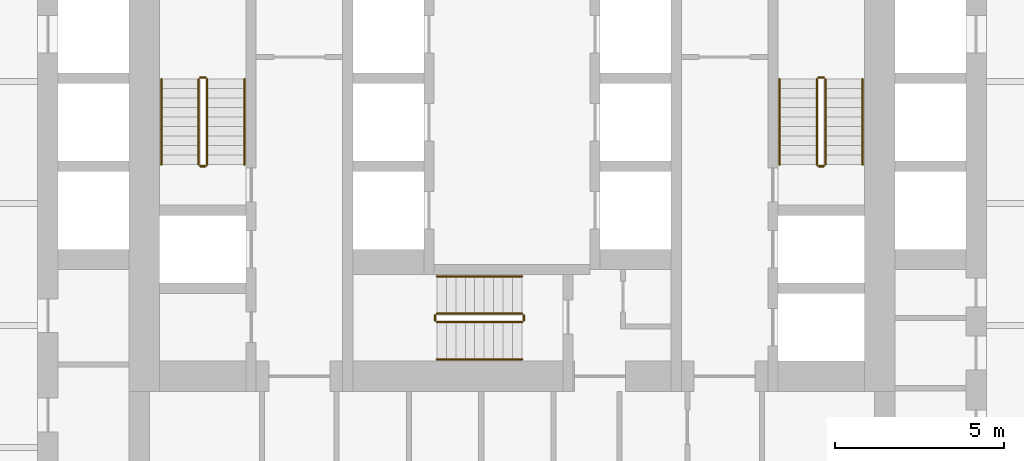
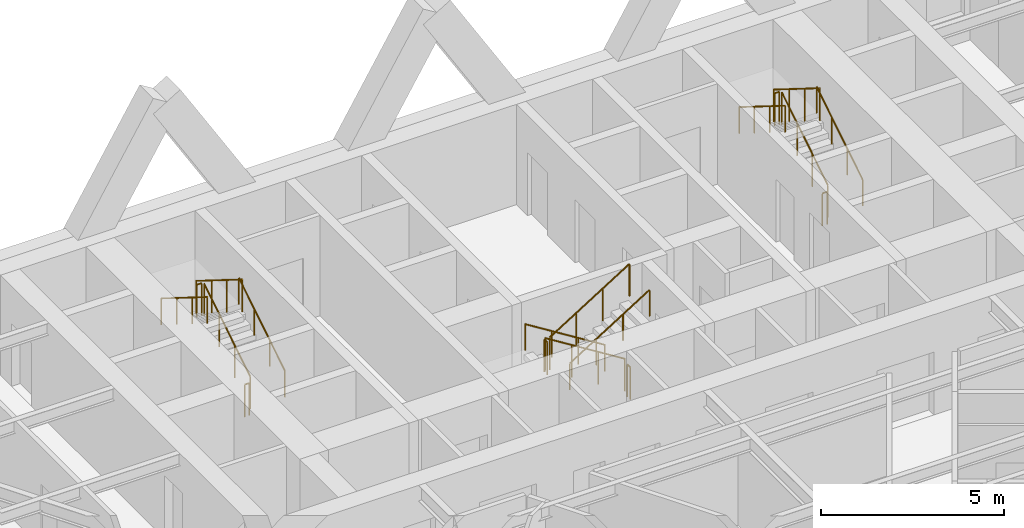
# One storey, part 9 of 9: 18 railings.
"""IFC4 building model written with IfcOpenShell, lengths in metres."""

from ifc_helpers import new_model, si_unit, direction, frame, origin, origin_2d, place, context, subcontext, project, spatial, circle, extrude, material, type_object, element, save


model = new_model("IFC4")

# Units and contexts
model_context = context("Model", 3, precision=1e-05, world=origin(), true_north=direction((0.0, 1.0)))
body_context = subcontext(model_context, "Body", "Model", "MODEL_VIEW")
ifc_project = project(units=[si_unit("LENGTHUNIT", "METRE"), si_unit("AREAUNIT", "SQUARE_METRE"), si_unit("VOLUMEUNIT", "CUBIC_METRE"), si_unit("PLANEANGLEUNIT", "RADIAN"), si_unit("MASSUNIT", "GRAM", prefix="KILO")], contexts=[model_context])

# Site, building, storey
site_placement = place(None, origin())
site = spatial("IfcSite", under=ifc_project, at=site_placement, CompositionType="ELEMENT")
building_placement = place(site_placement, origin())
building = spatial("IfcBuilding", under=site, at=building_placement, Name="Aloe Facet Convention Tower", CompositionType="ELEMENT")
storey_placement = place(building_placement, frame((0.0, 0.0, 109.800048828125)))
storey = spatial("IfcBuildingStorey", under=building, at=storey_placement, Name="L27", CompositionType="ELEMENT", Elevation=109.800048828125)

# Railings
ifc_material_1 = material(Name="Steel S355 balustrade", Category="steel")
railing_type_1 = type_object("IfcRailingType", Name="CR-RL-GUARD", PredefinedType="GUARDRAIL", material=ifc_material_1)
railing_1_placement = place(storey_placement, frame((71.0, 128.949951171875, 0.175048828125)))
element("IfcRailing", 1, at=railing_1_placement, inside=storey, type_object=railing_type_1, Name="L27 ST1 stair guard 1", PredefinedType="GUARDRAIL", context=body_context, shape_type="SweptSolid", body=[
    extrude(circle(Radius=0.02392578125, at=origin_2d()), frame((0.0, 0.0, 1.076171875), z_axis=(0.0, 0.848007534815, 0.529984170421), x_axis=(-1.0, 0.0, 0.0)), (0.0, 0.0, 1.0), 2.9716796875),
    extrude(circle(Radius=0.02099609375, at=origin_2d()), origin(), (0.0, 0.0, 1.0), 1.052001953125),
    extrude(circle(Radius=0.02099609375, at=origin_2d()), frame((0.0, 0.840087890625, 0.52490234375)), (0.0, 0.0, 1.0), 1.052001953125),
    extrude(circle(Radius=0.02099609375, at=origin_2d()), frame((0.0, 1.679931640625, 1.050048828125)), (0.0, 0.0, 1.0), 1.052001953125),
    extrude(circle(Radius=0.02099609375, at=origin_2d()), frame((0.0, 2.52001953125, 1.574951171875)), (0.0, 0.0, 1.0), 1.052001953125),
])
railing_2_placement = place(storey_placement, frame((70.949951171875, 131.52001953125, 1.75)))
element("IfcRailing", 2, at=railing_2_placement, inside=storey, type_object=railing_type_1, Name="L27 ST1 stair guard 2", PredefinedType="GUARDRAIL", context=body_context, shape_type="SweptSolid", body=[
    extrude(circle(Radius=0.02392578125, at=origin_2d()), frame((0.0, 0.0, 1.076171875), z_axis=(-1.0, 0.0, 0.0), x_axis=(0.0, -1.0, 0.0)), (0.0, 0.0, 1.0), 0.14990234375),
    extrude(circle(Radius=0.02099609375, at=origin_2d()), origin(), (0.0, 0.0, 1.0), 1.052001953125),
    extrude(circle(Radius=0.02099609375, at=origin_2d()), frame((-0.14990234375, 0.0, 0.0)), (0.0, 0.0, 1.0), 1.052001953125),
])
railing_3_placement = place(storey_placement, frame((70.75, 131.469970703125, 1.925048828125)))
element("IfcRailing", 3, at=railing_3_placement, inside=storey, type_object=railing_type_1, Name="L27 ST1 stair guard 3", PredefinedType="GUARDRAIL", context=body_context, shape_type="SweptSolid", body=[
    extrude(circle(Radius=0.02392578125, at=origin_2d()), frame((0.0, 0.0, 1.076171875), z_axis=(0.0, -0.848007534815, 0.529984170421), x_axis=(1.0, 0.0, 0.0)), (0.0, 0.0, 1.0), 2.9716796875),
    extrude(circle(Radius=0.02099609375, at=origin_2d()), origin(), (0.0, 0.0, 1.0), 1.052001953125),
    extrude(circle(Radius=0.02099609375, at=origin_2d()), frame((0.0, -0.840087890625, 0.52490234375)), (0.0, 0.0, 1.0), 1.052001953125),
    extrude(circle(Radius=0.02099609375, at=origin_2d()), frame((0.0, -1.679931640625, 1.050048828125)), (0.0, 0.0, 1.0), 1.052001953125),
    extrude(circle(Radius=0.02099609375, at=origin_2d()), frame((0.0, -2.52001953125, 1.574951171875)), (0.0, 0.0, 1.0), 1.052001953125),
])
railing_4_placement = place(storey_placement, frame((70.949951171875, 128.89990234375, 0.0)))
element("IfcRailing", 4, at=railing_4_placement, inside=storey, type_object=railing_type_1, Name="L27 ST1 stair guard 4", PredefinedType="GUARDRAIL", context=body_context, shape_type="SweptSolid", body=[
    extrude(circle(Radius=0.02392578125, at=origin_2d()), frame((0.0, 0.0, 1.076171875), z_axis=(-1.0, 0.0, 0.0), x_axis=(0.0, -1.0, 0.0)), (0.0, 0.0, 1.0), 0.14990234375),
    extrude(circle(Radius=0.02099609375, at=origin_2d()), origin(), (0.0, 0.0, 1.0), 1.052001953125),
    extrude(circle(Radius=0.02099609375, at=origin_2d()), frame((-0.14990234375, 0.0, 0.0)), (0.0, 0.0, 1.0), 1.052001953125),
])
railing_5_placement = place(storey_placement, frame((89.25, 128.949951171875, 0.175048828125)))
element("IfcRailing", 5, at=railing_5_placement, inside=storey, type_object=railing_type_1, Name="L27 ST2 stair guard 1", PredefinedType="GUARDRAIL", context=body_context, shape_type="SweptSolid", body=[
    extrude(circle(Radius=0.02392578125, at=origin_2d()), frame((0.0, 0.0, 1.076171875), z_axis=(0.0, 0.848007534815, 0.529984170421), x_axis=(-1.0, 0.0, 0.0)), (0.0, 0.0, 1.0), 2.9716796875),
    extrude(circle(Radius=0.02099609375, at=origin_2d()), origin(), (0.0, 0.0, 1.0), 1.052001953125),
    extrude(circle(Radius=0.02099609375, at=origin_2d()), frame((0.0, 0.840087890625, 0.52490234375)), (0.0, 0.0, 1.0), 1.052001953125),
    extrude(circle(Radius=0.02099609375, at=origin_2d()), frame((0.0, 1.679931640625, 1.050048828125)), (0.0, 0.0, 1.0), 1.052001953125),
    extrude(circle(Radius=0.02099609375, at=origin_2d()), frame((0.0, 2.52001953125, 1.574951171875)), (0.0, 0.0, 1.0), 1.052001953125),
])
railing_6_placement = place(storey_placement, frame((89.199951171875, 131.52001953125, 1.75)))
element("IfcRailing", 6, at=railing_6_placement, inside=storey, type_object=railing_type_1, Name="L27 ST2 stair guard 2", PredefinedType="GUARDRAIL", context=body_context, shape_type="SweptSolid", body=[
    extrude(circle(Radius=0.02392578125, at=origin_2d()), frame((0.0, 0.0, 1.076171875), z_axis=(-1.0, 0.0, 0.0), x_axis=(0.0, -1.0, 0.0)), (0.0, 0.0, 1.0), 0.14990234375),
    extrude(circle(Radius=0.02099609375, at=origin_2d()), origin(), (0.0, 0.0, 1.0), 1.052001953125),
    extrude(circle(Radius=0.02099609375, at=origin_2d()), frame((-0.14990234375, 0.0, 0.0)), (0.0, 0.0, 1.0), 1.052001953125),
])
railing_7_placement = place(storey_placement, frame((89.0, 131.469970703125, 1.925048828125)))
element("IfcRailing", 7, at=railing_7_placement, inside=storey, type_object=railing_type_1, Name="L27 ST2 stair guard 3", PredefinedType="GUARDRAIL", context=body_context, shape_type="SweptSolid", body=[
    extrude(circle(Radius=0.02392578125, at=origin_2d()), frame((0.0, 0.0, 1.076171875), z_axis=(0.0, -0.848007534815, 0.529984170421), x_axis=(1.0, 0.0, 0.0)), (0.0, 0.0, 1.0), 2.9716796875),
    extrude(circle(Radius=0.02099609375, at=origin_2d()), origin(), (0.0, 0.0, 1.0), 1.052001953125),
    extrude(circle(Radius=0.02099609375, at=origin_2d()), frame((0.0, -0.840087890625, 0.52490234375)), (0.0, 0.0, 1.0), 1.052001953125),
    extrude(circle(Radius=0.02099609375, at=origin_2d()), frame((0.0, -1.679931640625, 1.050048828125)), (0.0, 0.0, 1.0), 1.052001953125),
    extrude(circle(Radius=0.02099609375, at=origin_2d()), frame((0.0, -2.52001953125, 1.574951171875)), (0.0, 0.0, 1.0), 1.052001953125),
])
railing_8_placement = place(storey_placement, frame((89.199951171875, 128.89990234375, 0.0)))
element("IfcRailing", 8, at=railing_8_placement, inside=storey, type_object=railing_type_1, Name="L27 ST2 stair guard 4", PredefinedType="GUARDRAIL", context=body_context, shape_type="SweptSolid", body=[
    extrude(circle(Radius=0.02392578125, at=origin_2d()), frame((0.0, 0.0, 1.076171875), z_axis=(-1.0, 0.0, 0.0), x_axis=(0.0, -1.0, 0.0)), (0.0, 0.0, 1.0), 0.14990234375),
    extrude(circle(Radius=0.02099609375, at=origin_2d()), origin(), (0.0, 0.0, 1.0), 1.052001953125),
    extrude(circle(Radius=0.02099609375, at=origin_2d()), frame((-0.14990234375, 0.0, 0.0)), (0.0, 0.0, 1.0), 1.052001953125),
])
railing_9_placement = place(storey_placement, frame((80.300048828125, 124.550048828125, 0.175048828125)))
element("IfcRailing", 9, at=railing_9_placement, inside=storey, type_object=railing_type_1, Name="L27 ST3 stair guard 1", PredefinedType="GUARDRAIL", context=body_context, shape_type="SweptSolid", body=[
    extrude(circle(Radius=0.02392578125, at=origin_2d()), frame((0.0, 0.0, 1.076171875), z_axis=(-0.848007534815, 0.0, 0.529984170421), x_axis=(0.0, -1.0, 0.0)), (0.0, 0.0, 1.0), 2.9716796875),
    extrude(circle(Radius=0.02099609375, at=origin_2d()), origin(), (0.0, 0.0, 1.0), 1.052001953125),
    extrude(circle(Radius=0.02099609375, at=origin_2d()), frame((-0.840087890625, 0.0, 0.52490234375)), (0.0, 0.0, 1.0), 1.052001953125),
    extrude(circle(Radius=0.02099609375, at=origin_2d()), frame((-1.679931640625, 0.0, 1.050048828125)), (0.0, 0.0, 1.0), 1.052001953125),
    extrude(circle(Radius=0.02099609375, at=origin_2d()), frame((-2.52001953125, 0.0, 1.574951171875)), (0.0, 0.0, 1.0), 1.052001953125),
])
railing_10_placement = place(storey_placement, frame((77.72998046875, 124.5, 1.75)))
element("IfcRailing", 10, at=railing_10_placement, inside=storey, type_object=railing_type_1, Name="L27 ST3 stair guard 2", PredefinedType="GUARDRAIL", context=body_context, shape_type="SweptSolid", body=[
    extrude(circle(Radius=0.02392578125, at=origin_2d()), frame((0.0, 0.0, 1.076171875), z_axis=(0.0, -1.0, 0.0), x_axis=(1.0, 0.0, 0.0)), (0.0, 0.0, 1.0), 0.14990234375),
    extrude(circle(Radius=0.02099609375, at=origin_2d()), origin(), (0.0, 0.0, 1.0), 1.052001953125),
    extrude(circle(Radius=0.02099609375, at=origin_2d()), frame((0.0, -0.14990234375, 0.0)), (0.0, 0.0, 1.0), 1.052001953125),
])
railing_11_placement = place(storey_placement, frame((77.780029296875, 124.300048828125, 1.925048828125)))
element("IfcRailing", 11, at=railing_11_placement, inside=storey, type_object=railing_type_1, Name="L27 ST3 stair guard 3", PredefinedType="GUARDRAIL", context=body_context, shape_type="SweptSolid", body=[
    extrude(circle(Radius=0.02392578125, at=origin_2d()), frame((0.0, 0.0, 1.076171875), z_axis=(0.848007534815, 0.0, 0.529984170421), x_axis=(0.0, 1.0, 0.0)), (0.0, 0.0, 1.0), 2.9716796875),
    extrude(circle(Radius=0.02099609375, at=origin_2d()), origin(), (0.0, 0.0, 1.0), 1.052001953125),
    extrude(circle(Radius=0.02099609375, at=origin_2d()), frame((0.840087890625, 0.0, 0.52490234375)), (0.0, 0.0, 1.0), 1.052001953125),
    extrude(circle(Radius=0.02099609375, at=origin_2d()), frame((1.679931640625, 0.0, 1.050048828125)), (0.0, 0.0, 1.0), 1.052001953125),
    extrude(circle(Radius=0.02099609375, at=origin_2d()), frame((2.52001953125, 0.0, 1.574951171875)), (0.0, 0.0, 1.0), 1.052001953125),
])
railing_12_placement = place(storey_placement, frame((80.35009765625, 124.5, 0.0)))
element("IfcRailing", 12, at=railing_12_placement, inside=storey, type_object=railing_type_1, Name="L27 ST3 stair guard 4", PredefinedType="GUARDRAIL", context=body_context, shape_type="SweptSolid", body=[
    extrude(circle(Radius=0.02392578125, at=origin_2d()), frame((0.0, 0.0, 1.076171875), z_axis=(0.0, -1.0, 0.0), x_axis=(1.0, 0.0, 0.0)), (0.0, 0.0, 1.0), 0.14990234375),
    extrude(circle(Radius=0.02099609375, at=origin_2d()), origin(), (0.0, 0.0, 1.0), 1.052001953125),
    extrude(circle(Radius=0.02099609375, at=origin_2d()), frame((0.0, -0.14990234375, 0.0)), (0.0, 0.0, 1.0), 1.052001953125),
])
ifc_material_2 = material(Name="Steel S355 handrail", Category="steel")
railing_type_2 = type_object("IfcRailingType", Name="CR-RL-HAND", PredefinedType="HANDRAIL", material=ifc_material_2)
railing_13_placement = place(storey_placement, frame((72.10009765625, 128.949951171875, 0.175048828125)))
element("IfcRailing", 13, at=railing_13_placement, inside=storey, type_object=railing_type_2, Name="L27 ST1 stair handrail 1", PredefinedType="HANDRAIL", context=body_context, shape_type="SweptSolid", body=[
    extrude(circle(Radius=0.02392578125, at=origin_2d()), frame((0.0, 0.0, 0.8759765625), z_axis=(0.0, 0.848007534815, 0.529984170421), x_axis=(-1.0, 0.0, 0.0)), (0.0, 0.0, 1.0), 2.9716796875),
    extrude(circle(Radius=0.02099609375, at=origin_2d()), origin(), (0.0, 0.0, 1.0), 0.851806640625),
    extrude(circle(Radius=0.02099609375, at=origin_2d()), frame((0.0, 0.840087890625, 0.52490234375)), (0.0, 0.0, 1.0), 0.851806640625),
    extrude(circle(Radius=0.02099609375, at=origin_2d()), frame((0.0, 1.679931640625, 1.050048828125)), (0.0, 0.0, 1.0), 0.851806640625),
    extrude(circle(Radius=0.02099609375, at=origin_2d()), frame((0.0, 2.52001953125, 1.574951171875)), (0.0, 0.0, 1.0), 0.851806640625),
])
railing_14_placement = place(storey_placement, frame((69.64990234375, 131.469970703125, 1.925048828125)))
element("IfcRailing", 14, at=railing_14_placement, inside=storey, type_object=railing_type_2, Name="L27 ST1 stair handrail 2", PredefinedType="HANDRAIL", context=body_context, shape_type="SweptSolid", body=[
    extrude(circle(Radius=0.02392578125, at=origin_2d()), frame((0.0, 0.0, 0.8759765625), z_axis=(0.0, -0.848007534815, 0.529984170421), x_axis=(1.0, 0.0, 0.0)), (0.0, 0.0, 1.0), 2.9716796875),
    extrude(circle(Radius=0.02099609375, at=origin_2d()), origin(), (0.0, 0.0, 1.0), 0.851806640625),
    extrude(circle(Radius=0.02099609375, at=origin_2d()), frame((0.0, -0.840087890625, 0.52490234375)), (0.0, 0.0, 1.0), 0.851806640625),
    extrude(circle(Radius=0.02099609375, at=origin_2d()), frame((0.0, -1.679931640625, 1.050048828125)), (0.0, 0.0, 1.0), 0.851806640625),
    extrude(circle(Radius=0.02099609375, at=origin_2d()), frame((0.0, -2.52001953125, 1.574951171875)), (0.0, 0.0, 1.0), 0.851806640625),
])
railing_15_placement = place(storey_placement, frame((90.35009765625, 128.949951171875, 0.175048828125)))
element("IfcRailing", 15, at=railing_15_placement, inside=storey, type_object=railing_type_2, Name="L27 ST2 stair handrail 1", PredefinedType="HANDRAIL", context=body_context, shape_type="SweptSolid", body=[
    extrude(circle(Radius=0.02392578125, at=origin_2d()), frame((0.0, 0.0, 0.8759765625), z_axis=(0.0, 0.848007534815, 0.529984170421), x_axis=(-1.0, 0.0, 0.0)), (0.0, 0.0, 1.0), 2.9716796875),
    extrude(circle(Radius=0.02099609375, at=origin_2d()), origin(), (0.0, 0.0, 1.0), 0.851806640625),
    extrude(circle(Radius=0.02099609375, at=origin_2d()), frame((0.0, 0.840087890625, 0.52490234375)), (0.0, 0.0, 1.0), 0.851806640625),
    extrude(circle(Radius=0.02099609375, at=origin_2d()), frame((0.0, 1.679931640625, 1.050048828125)), (0.0, 0.0, 1.0), 0.851806640625),
    extrude(circle(Radius=0.02099609375, at=origin_2d()), frame((0.0, 2.52001953125, 1.574951171875)), (0.0, 0.0, 1.0), 0.851806640625),
])
railing_16_placement = place(storey_placement, frame((87.89990234375, 131.469970703125, 1.925048828125)))
element("IfcRailing", 16, at=railing_16_placement, inside=storey, type_object=railing_type_2, Name="L27 ST2 stair handrail 2", PredefinedType="HANDRAIL", context=body_context, shape_type="SweptSolid", body=[
    extrude(circle(Radius=0.02392578125, at=origin_2d()), frame((0.0, 0.0, 0.8759765625), z_axis=(0.0, -0.848007534815, 0.529984170421), x_axis=(1.0, 0.0, 0.0)), (0.0, 0.0, 1.0), 2.9716796875),
    extrude(circle(Radius=0.02099609375, at=origin_2d()), origin(), (0.0, 0.0, 1.0), 0.851806640625),
    extrude(circle(Radius=0.02099609375, at=origin_2d()), frame((0.0, -0.840087890625, 0.52490234375)), (0.0, 0.0, 1.0), 0.851806640625),
    extrude(circle(Radius=0.02099609375, at=origin_2d()), frame((0.0, -1.679931640625, 1.050048828125)), (0.0, 0.0, 1.0), 0.851806640625),
    extrude(circle(Radius=0.02099609375, at=origin_2d()), frame((0.0, -2.52001953125, 1.574951171875)), (0.0, 0.0, 1.0), 0.851806640625),
])
railing_17_placement = place(storey_placement, frame((80.300048828125, 125.64990234375, 0.175048828125)))
element("IfcRailing", 17, at=railing_17_placement, inside=storey, type_object=railing_type_2, Name="L27 ST3 stair handrail 1", PredefinedType="HANDRAIL", context=body_context, shape_type="SweptSolid", body=[
    extrude(circle(Radius=0.02392578125, at=origin_2d()), frame((0.0, 0.0, 0.8759765625), z_axis=(-0.848007534815, 0.0, 0.529984170421), x_axis=(0.0, -1.0, 0.0)), (0.0, 0.0, 1.0), 2.9716796875),
    extrude(circle(Radius=0.02099609375, at=origin_2d()), origin(), (0.0, 0.0, 1.0), 0.851806640625),
    extrude(circle(Radius=0.02099609375, at=origin_2d()), frame((-0.840087890625, 0.0, 0.52490234375)), (0.0, 0.0, 1.0), 0.851806640625),
    extrude(circle(Radius=0.02099609375, at=origin_2d()), frame((-1.679931640625, 0.0, 1.050048828125)), (0.0, 0.0, 1.0), 0.851806640625),
    extrude(circle(Radius=0.02099609375, at=origin_2d()), frame((-2.52001953125, 0.0, 1.574951171875)), (0.0, 0.0, 1.0), 0.851806640625),
])
railing_18_placement = place(storey_placement, frame((77.780029296875, 123.199951171875, 1.925048828125)))
element("IfcRailing", 18, at=railing_18_placement, inside=storey, type_object=railing_type_2, Name="L27 ST3 stair handrail 2", PredefinedType="HANDRAIL", context=body_context, shape_type="SweptSolid", body=[
    extrude(circle(Radius=0.02392578125, at=origin_2d()), frame((0.0, 0.0, 0.8759765625), z_axis=(0.848007534815, 0.0, 0.529984170421), x_axis=(0.0, 1.0, 0.0)), (0.0, 0.0, 1.0), 2.9716796875),
    extrude(circle(Radius=0.02099609375, at=origin_2d()), origin(), (0.0, 0.0, 1.0), 0.851806640625),
    extrude(circle(Radius=0.02099609375, at=origin_2d()), frame((0.840087890625, 0.0, 0.52490234375)), (0.0, 0.0, 1.0), 0.851806640625),
    extrude(circle(Radius=0.02099609375, at=origin_2d()), frame((1.679931640625, 0.0, 1.050048828125)), (0.0, 0.0, 1.0), 0.851806640625),
    extrude(circle(Radius=0.02099609375, at=origin_2d()), frame((2.52001953125, 0.0, 1.574951171875)), (0.0, 0.0, 1.0), 0.851806640625),
])

save(model, "model.ifc")
